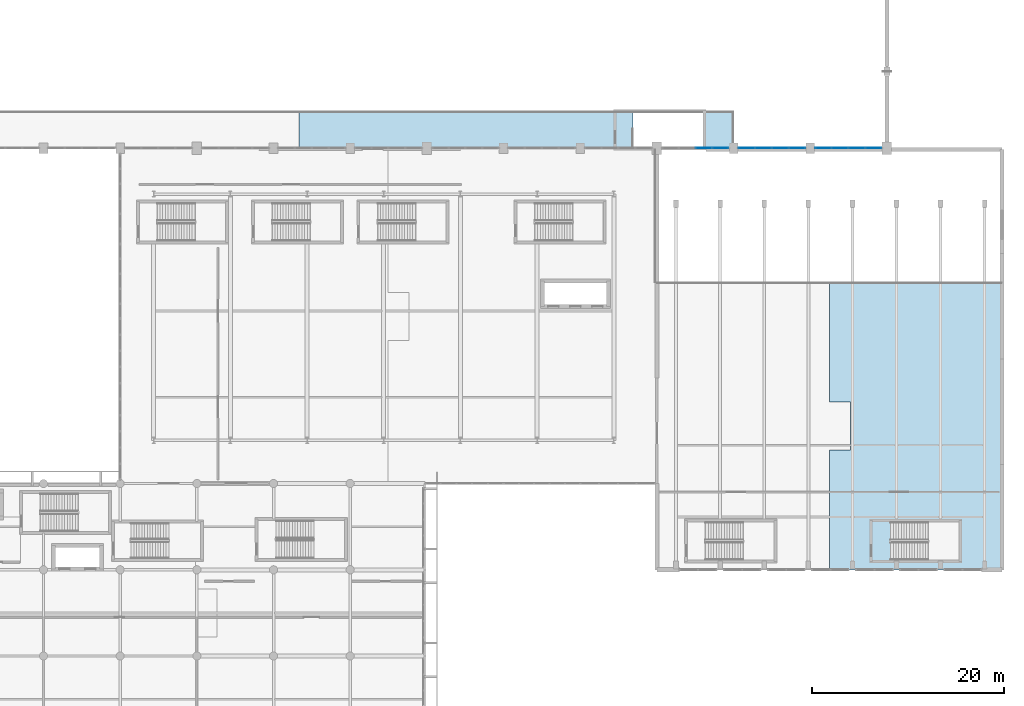
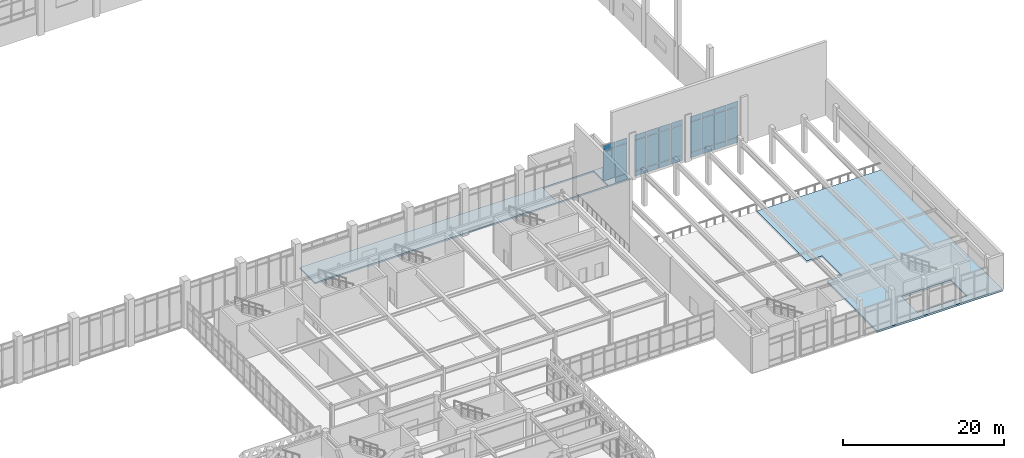
# One storey, part 58 of 84: 29 plates, 2 slabs, 3 elements without a shape of their own.
"""IFC4 building model written with IfcOpenShell, lengths in metres."""

from ifc_helpers import new_model, si_unit, direction, frame, origin, origin_2d, place, context, subcontext, project, spatial, polyline, rectangle, outline, extrude, material, layer, layer_set, type_object, element, aggregate, save


model = new_model("IFC4")

# Units and contexts
model_context = context("Model", 3, precision=1e-05, world=origin(), true_north=direction((0.0, 1.0)))
body_context = subcontext(model_context, "Body", "Model", "MODEL_VIEW")
ifc_project = project(units=[si_unit("LENGTHUNIT", "METRE"), si_unit("AREAUNIT", "SQUARE_METRE"), si_unit("VOLUMEUNIT", "CUBIC_METRE"), si_unit("PLANEANGLEUNIT", "RADIAN"), si_unit("MASSUNIT", "GRAM", prefix="KILO")], contexts=[model_context])

# Site, building, storey
site_placement = place(None, origin())
site = spatial("IfcSite", under=ifc_project, at=site_placement, CompositionType="ELEMENT")
building_placement = place(site_placement, origin())
building = spatial("IfcBuilding", under=site, at=building_placement, Name="Tlacozan Convention Centre", CompositionType="ELEMENT")
storey_placement = place(building_placement, frame((0.0, 0.0, 6.0)))
storey = spatial("IfcBuildingStorey", under=building, at=storey_placement, Name="L01", CompositionType="ELEMENT", Elevation=6.0)

# Curtain wall, plates
ifc_material_1 = material(Name="Dark Bronze Anodised Aluminium", Category="aluminium")
ifc_layer_1 = layer(ifc_material_1, 0.199951171875)
ifc_layer_set_1 = layer_set([ifc_layer_1], Name="Dark Bronze Anodised Aluminium")
curtain_wall_type = type_object("IfcCurtainWallType", Name="Exhibition Clerestory Curtain Wall CW10", PredefinedType="NOTDEFINED", material=ifc_layer_set_1)
curtain_wall_1_placement = place(storey_placement, origin())
curtain_wall_1 = element("IfcCurtainWall", 1, at=curtain_wall_1_placement, inside=storey, type_object=curtain_wall_type, Name="L01 CW-10 Run 27", PredefinedType="NOTDEFINED")
ifc_material_2 = material(Name="Solar Control Double Low-E Argon Glazing", Category="glass")
ifc_layer_2 = layer(ifc_material_2, 0.050048828125)
ifc_layer_set_2 = layer_set([ifc_layer_2], Name="Solar Control Double Low-E Argon Glazing")
plate_type = type_object("IfcPlateType", Name="Clerestory Solar CW Panel 50", PredefinedType="CURTAIN_PANEL", material=ifc_layer_set_2)
plate_1_placement = place(storey_placement, frame((148.902587890625, 62.0, 0.9375), z_axis=(0.0, 0.0, 1.0), x_axis=(1.0, 0.0, 0.0)))
plate_1 = element("IfcPlate", 2, at=plate_1_placement, type_object=plate_type, Name="CW-10 panel 3.2", PredefinedType="CURTAIN_PANEL", context=body_context, shape_type="SweptSolid", body=[
    extrude(rectangle(XDim=1.679931640625, YDim=0.050048828125, at=origin_2d()), origin(), (0.0, 0.0, 1.0), 4.574951171875),
])
plate_2_placement = place(storey_placement, frame((148.902587890625, 62.0, 5.58740234375), z_axis=(0.0, 0.0, 1.0), x_axis=(1.0, 0.0, 0.0)))
plate_2 = element("IfcPlate", 3, at=plate_2_placement, type_object=plate_type, Name="CW-10 panel 3.3", PredefinedType="CURTAIN_PANEL", context=body_context, shape_type="SweptSolid", body=[
    extrude(rectangle(XDim=1.679931640625, YDim=0.050048828125, at=origin_2d()), origin(), (0.0, 0.0, 1.0), 0.737548828125),
])
plate_3_placement = place(storey_placement, frame((150.638671875, 62.0, 0.074951171875), z_axis=(0.0, 0.0, 1.0), x_axis=(1.0, 0.0, 0.0)))
plate_3 = element("IfcPlate", 4, at=plate_3_placement, type_object=plate_type, Name="CW-10 panel 4.1", PredefinedType="CURTAIN_PANEL", context=body_context, shape_type="SweptSolid", body=[
    extrude(rectangle(XDim=1.642578125, YDim=0.050048828125, at=origin_2d()), origin(), (0.0, 0.0, 1.0), 0.78759765625),
])
plate_4_placement = place(storey_placement, frame((150.638671875, 62.0, 0.9375), z_axis=(0.0, 0.0, 1.0), x_axis=(1.0, 0.0, 0.0)))
plate_4 = element("IfcPlate", 5, at=plate_4_placement, type_object=plate_type, Name="CW-10 panel 4.2", PredefinedType="CURTAIN_PANEL", context=body_context, shape_type="SweptSolid", body=[
    extrude(rectangle(XDim=1.642578125, YDim=0.050048828125, at=origin_2d()), origin(), (0.0, 0.0, 1.0), 4.574951171875),
])
plate_5_placement = place(storey_placement, frame((150.638671875, 62.0, 5.58740234375), z_axis=(0.0, 0.0, 1.0), x_axis=(1.0, 0.0, 0.0)))
plate_5 = element("IfcPlate", 6, at=plate_5_placement, type_object=plate_type, Name="CW-10 panel 4.3", PredefinedType="CURTAIN_PANEL", context=body_context, shape_type="SweptSolid", body=[
    extrude(rectangle(XDim=1.642578125, YDim=0.050048828125, at=origin_2d()), origin(), (0.0, 0.0, 1.0), 0.737548828125),
])
aggregate(curtain_wall_1, [plate_1, plate_2, plate_3, plate_4, plate_5])

curtain_wall_2_placement = place(storey_placement, origin())
curtain_wall_2 = element("IfcCurtainWall", 7, at=curtain_wall_2_placement, inside=storey, type_object=curtain_wall_type, Name="L01 CW-10 Run 28", PredefinedType="NOTDEFINED")
plate_6_placement = place(storey_placement, frame((153.367431640625, 62.0, 0.074951171875), z_axis=(0.0, 0.0, 1.0), x_axis=(1.0, 0.0, 0.0)))
plate_6 = element("IfcPlate", 8, at=plate_6_placement, type_object=plate_type, Name="CW-10 panel 1.1", PredefinedType="CURTAIN_PANEL", context=body_context, shape_type="SweptSolid", body=[
    extrude(rectangle(XDim=1.655029296875, YDim=0.050048828125, at=origin_2d()), origin(), (0.0, 0.0, 1.0), 0.78759765625),
])
plate_7_placement = place(storey_placement, frame((153.367431640625, 62.0, 0.9375), z_axis=(0.0, 0.0, 1.0), x_axis=(1.0, 0.0, 0.0)))
plate_7 = element("IfcPlate", 9, at=plate_7_placement, type_object=plate_type, Name="CW-10 panel 1.2", PredefinedType="CURTAIN_PANEL", context=body_context, shape_type="SweptSolid", body=[
    extrude(rectangle(XDim=1.655029296875, YDim=0.050048828125, at=origin_2d()), origin(), (0.0, 0.0, 1.0), 4.574951171875),
])
plate_8_placement = place(storey_placement, frame((153.367431640625, 62.0, 5.58740234375), z_axis=(0.0, 0.0, 1.0), x_axis=(1.0, 0.0, 0.0)))
plate_8 = element("IfcPlate", 10, at=plate_8_placement, type_object=plate_type, Name="CW-10 panel 1.3", PredefinedType="CURTAIN_PANEL", context=body_context, shape_type="SweptSolid", body=[
    extrude(rectangle(XDim=1.655029296875, YDim=0.050048828125, at=origin_2d()), origin(), (0.0, 0.0, 1.0), 0.737548828125),
])
plate_9_placement = place(storey_placement, frame((155.1162109375, 62.0, 0.074951171875), z_axis=(0.0, 0.0, 1.0), x_axis=(1.0, 0.0, 0.0)))
plate_9 = element("IfcPlate", 11, at=plate_9_placement, type_object=plate_type, Name="CW-10 panel 2.1", PredefinedType="CURTAIN_PANEL", context=body_context, shape_type="SweptSolid", body=[
    extrude(rectangle(XDim=1.6923828125, YDim=0.050048828125, at=origin_2d()), origin(), (0.0, 0.0, 1.0), 0.78759765625),
])
plate_10_placement = place(storey_placement, frame((155.1162109375, 62.0, 0.9375), z_axis=(0.0, 0.0, 1.0), x_axis=(1.0, 0.0, 0.0)))
plate_10 = element("IfcPlate", 12, at=plate_10_placement, type_object=plate_type, Name="CW-10 panel 2.2", PredefinedType="CURTAIN_PANEL", context=body_context, shape_type="SweptSolid", body=[
    extrude(rectangle(XDim=1.6923828125, YDim=0.050048828125, at=origin_2d()), origin(), (0.0, 0.0, 1.0), 4.574951171875),
])
plate_11_placement = place(storey_placement, frame((155.1162109375, 62.0, 5.58740234375), z_axis=(0.0, 0.0, 1.0), x_axis=(1.0, 0.0, 0.0)))
plate_11 = element("IfcPlate", 13, at=plate_11_placement, type_object=plate_type, Name="CW-10 panel 2.3", PredefinedType="CURTAIN_PANEL", context=body_context, shape_type="SweptSolid", body=[
    extrude(rectangle(XDim=1.6923828125, YDim=0.050048828125, at=origin_2d()), origin(), (0.0, 0.0, 1.0), 0.737548828125),
])
plate_12_placement = place(storey_placement, frame((156.8837890625, 62.0, 0.074951171875), z_axis=(0.0, 0.0, 1.0), x_axis=(1.0, 0.0, 0.0)))
plate_12 = element("IfcPlate", 14, at=plate_12_placement, type_object=plate_type, Name="CW-10 panel 3.1", PredefinedType="CURTAIN_PANEL", context=body_context, shape_type="SweptSolid", body=[
    extrude(rectangle(XDim=1.6923828125, YDim=0.050048828125, at=origin_2d()), origin(), (0.0, 0.0, 1.0), 0.78759765625),
])
plate_13_placement = place(storey_placement, frame((156.8837890625, 62.0, 0.9375), z_axis=(0.0, 0.0, 1.0), x_axis=(1.0, 0.0, 0.0)))
plate_13 = element("IfcPlate", 15, at=plate_13_placement, type_object=plate_type, Name="CW-10 panel 3.2", PredefinedType="CURTAIN_PANEL", context=body_context, shape_type="SweptSolid", body=[
    extrude(rectangle(XDim=1.6923828125, YDim=0.050048828125, at=origin_2d()), origin(), (0.0, 0.0, 1.0), 4.574951171875),
])
plate_14_placement = place(storey_placement, frame((156.8837890625, 62.0, 5.58740234375), z_axis=(0.0, 0.0, 1.0), x_axis=(1.0, 0.0, 0.0)))
plate_14 = element("IfcPlate", 16, at=plate_14_placement, type_object=plate_type, Name="CW-10 panel 3.3", PredefinedType="CURTAIN_PANEL", context=body_context, shape_type="SweptSolid", body=[
    extrude(rectangle(XDim=1.6923828125, YDim=0.050048828125, at=origin_2d()), origin(), (0.0, 0.0, 1.0), 0.737548828125),
])
plate_15_placement = place(storey_placement, frame((158.632568359375, 62.0, 0.074951171875), z_axis=(0.0, 0.0, 1.0), x_axis=(1.0, 0.0, 0.0)))
plate_15 = element("IfcPlate", 17, at=plate_15_placement, type_object=plate_type, Name="CW-10 panel 4.1", PredefinedType="CURTAIN_PANEL", context=body_context, shape_type="SweptSolid", body=[
    extrude(rectangle(XDim=1.655029296875, YDim=0.050048828125, at=origin_2d()), origin(), (0.0, 0.0, 1.0), 0.78759765625),
])
plate_16_placement = place(storey_placement, frame((158.632568359375, 62.0, 0.9375), z_axis=(0.0, 0.0, 1.0), x_axis=(1.0, 0.0, 0.0)))
plate_16 = element("IfcPlate", 18, at=plate_16_placement, type_object=plate_type, Name="CW-10 panel 4.2", PredefinedType="CURTAIN_PANEL", context=body_context, shape_type="SweptSolid", body=[
    extrude(rectangle(XDim=1.655029296875, YDim=0.050048828125, at=origin_2d()), origin(), (0.0, 0.0, 1.0), 4.574951171875),
])
plate_17_placement = place(storey_placement, frame((158.632568359375, 62.0, 5.58740234375), z_axis=(0.0, 0.0, 1.0), x_axis=(1.0, 0.0, 0.0)))
plate_17 = element("IfcPlate", 19, at=plate_17_placement, type_object=plate_type, Name="CW-10 panel 4.3", PredefinedType="CURTAIN_PANEL", context=body_context, shape_type="SweptSolid", body=[
    extrude(rectangle(XDim=1.655029296875, YDim=0.050048828125, at=origin_2d()), origin(), (0.0, 0.0, 1.0), 0.737548828125),
])
aggregate(curtain_wall_2, [plate_6, plate_7, plate_8, plate_9, plate_10, plate_11, plate_12, plate_13, plate_14, plate_15, plate_16, plate_17])

curtain_wall_3_placement = place(storey_placement, origin())
curtain_wall_3 = element("IfcCurtainWall", 20, at=curtain_wall_3_placement, inside=storey, type_object=curtain_wall_type, Name="L01 CW-10 Run 29", PredefinedType="NOTDEFINED")
plate_18_placement = place(storey_placement, frame((161.361328125, 62.0, 0.074951171875), z_axis=(0.0, 0.0, 1.0), x_axis=(1.0, 0.0, 0.0)))
plate_18 = element("IfcPlate", 21, at=plate_18_placement, type_object=plate_type, Name="CW-10 panel 1.1", PredefinedType="CURTAIN_PANEL", context=body_context, shape_type="SweptSolid", body=[
    extrude(rectangle(XDim=1.642578125, YDim=0.050048828125, at=origin_2d()), origin(), (0.0, 0.0, 1.0), 0.78759765625),
])
plate_19_placement = place(storey_placement, frame((161.361328125, 62.0, 0.9375), z_axis=(0.0, 0.0, 1.0), x_axis=(1.0, 0.0, 0.0)))
plate_19 = element("IfcPlate", 22, at=plate_19_placement, type_object=plate_type, Name="CW-10 panel 1.2", PredefinedType="CURTAIN_PANEL", context=body_context, shape_type="SweptSolid", body=[
    extrude(rectangle(XDim=1.642578125, YDim=0.050048828125, at=origin_2d()), origin(), (0.0, 0.0, 1.0), 4.574951171875),
])
plate_20_placement = place(storey_placement, frame((161.361328125, 62.0, 5.58740234375), z_axis=(0.0, 0.0, 1.0), x_axis=(1.0, 0.0, 0.0)))
plate_20 = element("IfcPlate", 23, at=plate_20_placement, type_object=plate_type, Name="CW-10 panel 1.3", PredefinedType="CURTAIN_PANEL", context=body_context, shape_type="SweptSolid", body=[
    extrude(rectangle(XDim=1.642578125, YDim=0.050048828125, at=origin_2d()), origin(), (0.0, 0.0, 1.0), 0.737548828125),
])
plate_21_placement = place(storey_placement, frame((163.097412109375, 62.0, 0.074951171875), z_axis=(0.0, 0.0, 1.0), x_axis=(1.0, 0.0, 0.0)))
plate_21 = element("IfcPlate", 24, at=plate_21_placement, type_object=plate_type, Name="CW-10 panel 2.1", PredefinedType="CURTAIN_PANEL", context=body_context, shape_type="SweptSolid", body=[
    extrude(rectangle(XDim=1.679931640625, YDim=0.050048828125, at=origin_2d()), origin(), (0.0, 0.0, 1.0), 0.78759765625),
])
plate_22_placement = place(storey_placement, frame((163.097412109375, 62.0, 0.9375), z_axis=(0.0, 0.0, 1.0), x_axis=(1.0, 0.0, 0.0)))
plate_22 = element("IfcPlate", 25, at=plate_22_placement, type_object=plate_type, Name="CW-10 panel 2.2", PredefinedType="CURTAIN_PANEL", context=body_context, shape_type="SweptSolid", body=[
    extrude(rectangle(XDim=1.679931640625, YDim=0.050048828125, at=origin_2d()), origin(), (0.0, 0.0, 1.0), 4.574951171875),
])
plate_23_placement = place(storey_placement, frame((163.097412109375, 62.0, 5.58740234375), z_axis=(0.0, 0.0, 1.0), x_axis=(1.0, 0.0, 0.0)))
plate_23 = element("IfcPlate", 26, at=plate_23_placement, type_object=plate_type, Name="CW-10 panel 2.3", PredefinedType="CURTAIN_PANEL", context=body_context, shape_type="SweptSolid", body=[
    extrude(rectangle(XDim=1.679931640625, YDim=0.050048828125, at=origin_2d()), origin(), (0.0, 0.0, 1.0), 0.737548828125),
])
plate_24_placement = place(storey_placement, frame((164.8525390625, 62.0, 0.074951171875), z_axis=(0.0, 0.0, 1.0), x_axis=(1.0, 0.0, 0.0)))
plate_24 = element("IfcPlate", 27, at=plate_24_placement, type_object=plate_type, Name="CW-10 panel 3.1", PredefinedType="CURTAIN_PANEL", context=body_context, shape_type="SweptSolid", body=[
    extrude(rectangle(XDim=1.679931640625, YDim=0.050048828125, at=origin_2d()), origin(), (0.0, 0.0, 1.0), 0.78759765625),
])
plate_25_placement = place(storey_placement, frame((164.8525390625, 62.0, 0.9375), z_axis=(0.0, 0.0, 1.0), x_axis=(1.0, 0.0, 0.0)))
plate_25 = element("IfcPlate", 28, at=plate_25_placement, type_object=plate_type, Name="CW-10 panel 3.2", PredefinedType="CURTAIN_PANEL", context=body_context, shape_type="SweptSolid", body=[
    extrude(rectangle(XDim=1.679931640625, YDim=0.050048828125, at=origin_2d()), origin(), (0.0, 0.0, 1.0), 4.574951171875),
])
plate_26_placement = place(storey_placement, frame((164.8525390625, 62.0, 5.58740234375), z_axis=(0.0, 0.0, 1.0), x_axis=(1.0, 0.0, 0.0)))
plate_26 = element("IfcPlate", 29, at=plate_26_placement, type_object=plate_type, Name="CW-10 panel 3.3", PredefinedType="CURTAIN_PANEL", context=body_context, shape_type="SweptSolid", body=[
    extrude(rectangle(XDim=1.679931640625, YDim=0.050048828125, at=origin_2d()), origin(), (0.0, 0.0, 1.0), 0.737548828125),
])
plate_27_placement = place(storey_placement, frame((166.5888671875, 62.0, 0.074951171875), z_axis=(0.0, 0.0, 1.0), x_axis=(1.0, 0.0, 0.0)))
plate_27 = element("IfcPlate", 30, at=plate_27_placement, type_object=plate_type, Name="CW-10 panel 4.1", PredefinedType="CURTAIN_PANEL", context=body_context, shape_type="SweptSolid", body=[
    extrude(rectangle(XDim=1.642578125, YDim=0.050048828125, at=origin_2d()), origin(), (0.0, 0.0, 1.0), 0.78759765625),
])
plate_28_placement = place(storey_placement, frame((166.5888671875, 62.0, 0.9375), z_axis=(0.0, 0.0, 1.0), x_axis=(1.0, 0.0, 0.0)))
plate_28 = element("IfcPlate", 31, at=plate_28_placement, type_object=plate_type, Name="CW-10 panel 4.2", PredefinedType="CURTAIN_PANEL", context=body_context, shape_type="SweptSolid", body=[
    extrude(rectangle(XDim=1.642578125, YDim=0.050048828125, at=origin_2d()), origin(), (0.0, 0.0, 1.0), 4.574951171875),
])
plate_29_placement = place(storey_placement, frame((166.5888671875, 62.0, 5.58740234375), z_axis=(0.0, 0.0, 1.0), x_axis=(1.0, 0.0, 0.0)))
plate_29 = element("IfcPlate", 32, at=plate_29_placement, type_object=plate_type, Name="CW-10 panel 4.3", PredefinedType="CURTAIN_PANEL", context=body_context, shape_type="SweptSolid", body=[
    extrude(rectangle(XDim=1.642578125, YDim=0.050048828125, at=origin_2d()), origin(), (0.0, 0.0, 1.0), 0.737548828125),
])
aggregate(curtain_wall_3, [plate_18, plate_19, plate_20, plate_21, plate_22, plate_23, plate_24, plate_25, plate_26, plate_27, plate_28, plate_29])

# Slabs
ifc_material_3 = material(Name="Concrete C40/50", Category="concrete")
ifc_layer_3 = layer(ifc_material_3, 0.280029296875)
ifc_layer_set_3 = layer_set([ifc_layer_3], Name="Concrete C40/50")
slab_type_1 = type_object("IfcSlabType", Name="Congress Composite Floor Slab 280", PredefinedType="FLOOR", material=ifc_layer_set_3)
slab_1_placement = place(storey_placement, frame((0.0, 0.0, -0.280029296875)))
element("IfcSlab", 33, at=slab_1_placement, inside=storey, type_object=slab_type_1, Name="L01 Congress Composite Floor Slab 280 64", PredefinedType="FLOOR", context=body_context, shape_type="SweptSolid", body=[
    extrude(outline(polyline([(180.0, 48.0), (180.0, 18.0), (162.0, 18.0), (162.0, 30.5), (164.199951171875, 30.5), (164.199951171875, 35.5), (162.0, 35.5), (162.0, 48.0), (180.0, 48.0)]), holes=[polyline([(168.3798828125, 19.0), (175.5, 19.0), (175.5, 22.9599609375), (168.3798828125, 22.9599609375), (168.3798828125, 19.0)])]), origin(), (0.0, 0.0, 1.0), 0.280029296875),
])
ifc_layer_4 = layer(ifc_material_3, 0.22998046875)
ifc_layer_set_4 = layer_set([ifc_layer_4], Name="Concrete C40/50")
slab_type_2 = type_object("IfcSlabType", Name="Mezzanine Viewing Deck Slab 230", PredefinedType="FLOOR", material=ifc_layer_set_4)
slab_2_placement = place(storey_placement, frame((0.0, 0.0, -0.22998046875)))
element("IfcSlab", 34, at=slab_2_placement, inside=storey, type_object=slab_type_2, Name="L01 Mezzanine Viewing Deck Slab 230 60", PredefinedType="FLOOR", context=body_context, shape_type="SweptSolid", body=[
    extrude(outline(polyline([(106.666748046875, 62.0), (106.666748046875, 65.800048828125), (152.0, 65.800048828125), (152.0, 62.0), (106.666748046875, 62.0)]), holes=[polyline([(141.5, 62.10009765625), (148.800048828125, 62.10009765625), (148.800048828125, 65.699951171875), (141.5, 65.699951171875), (141.5, 62.10009765625)])]), origin(), (0.0, 0.0, 1.0), 0.22998046875),
])

save(model, "model.ifc")
